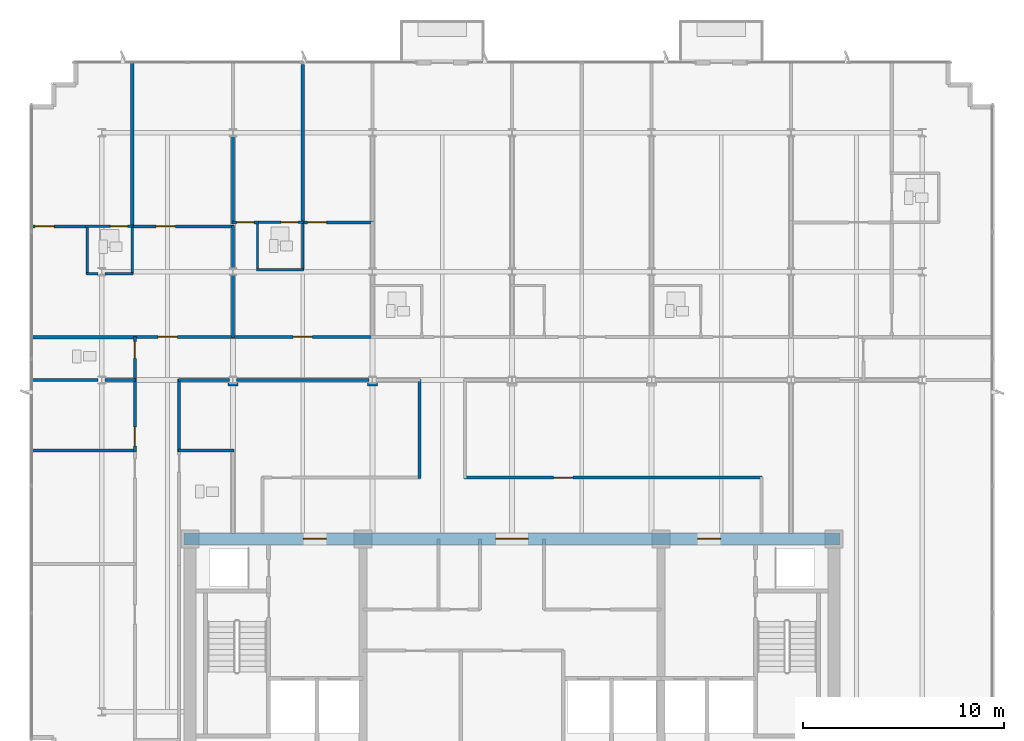
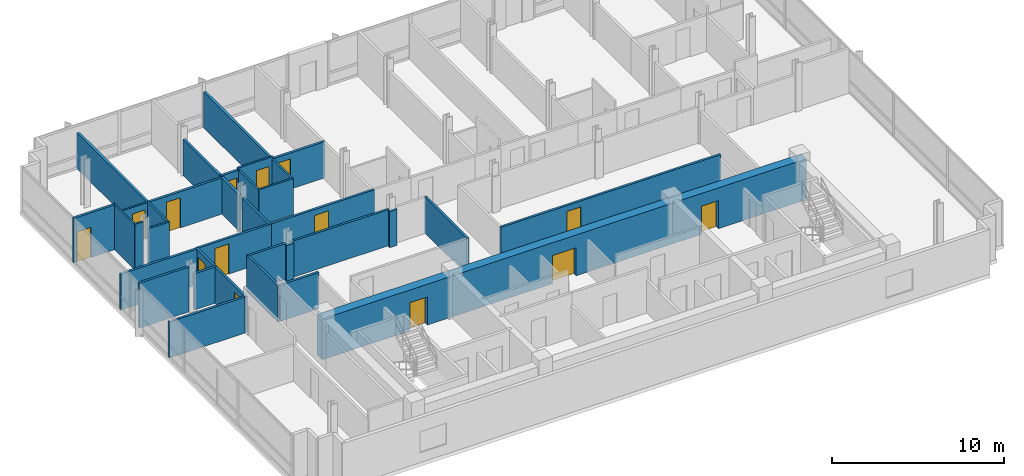
# One storey, part 9 of 14: 35 walls, 14 doors, 14 openings.
"""IFC4 building model written with IfcOpenShell, lengths in metres."""

from ifc_helpers import new_model, si_unit, direction, frame, frame_2d, origin, place, context, subcontext, project, spatial, rectangle, extrude, material, layer, layer_set, type_object, element, fill, save


model = new_model("IFC4")

# Units and contexts
model_context = context("Model", 3, precision=1e-05, world=origin(), true_north=direction((0.0, 1.0)))
body_context = subcontext(model_context, "Body", "Model", "MODEL_VIEW")
ifc_project = project(units=[si_unit("LENGTHUNIT", "METRE"), si_unit("AREAUNIT", "SQUARE_METRE"), si_unit("VOLUMEUNIT", "CUBIC_METRE"), si_unit("PLANEANGLEUNIT", "RADIAN"), si_unit("MASSUNIT", "GRAM", prefix="KILO")], contexts=[model_context])

# Site, building, storey
site_placement = place(None, origin())
site = spatial("IfcSite", under=ifc_project, at=site_placement, CompositionType="ELEMENT")
building_placement = place(site_placement, origin())
building = spatial("IfcBuilding", under=site, at=building_placement, Name="Solmavex Isthmus Hotel", CompositionType="ELEMENT")
storey_placement = place(building_placement, frame((0.0, 0.0, 255.75)))
storey = spatial("IfcBuildingStorey", under=building, at=storey_placement, Name="L69", CompositionType="ELEMENT", Elevation=255.75)

# Wall, opening, door
ifc_material_1 = material(Name="Gypsum plasterboard lining", Category="gypsum")
ifc_layer_1 = layer(ifc_material_1, 0.159912109375)
ifc_layer_set_1 = layer_set([ifc_layer_1], Name="Gypsum plasterboard lining")
wall_type_1 = type_object("IfcWallType", Name="IW-COMP-160", PredefinedType="PARTITIONING", material=ifc_layer_set_1)
wall_1_placement = place(storey_placement, frame((-23.919921875, 13.0380859375, 0.0), z_axis=(0.0, 0.0, 1.0), x_axis=(1.0, 0.0, 0.0)))
wall_1 = element("IfcWall", 1, at=wall_1_placement, inside=storey, type_object=wall_type_1, Name="Interior Partition Wall W-L69-P037", PredefinedType="PARTITIONING", context=body_context, shape_type="SweptSolid", body=[
    extrude(rectangle(XDim=2.833984375, YDim=0.159912109375, at=frame_2d((1.4169921875, 0.0))), origin(), (0.0, 0.0, 1.0), 3.18994140625),
])
opening_1_placement = place(wall_1_placement, frame((0.2099609375, 0.0, 0.0)))
opening_1 = element("IfcOpeningElement", 2, at=opening_1_placement, cuts=wall_1, Name="Opening ID-C095", PredefinedType="OPENING", context=body_context, shape_type="SweptSolid", body=[
    extrude(rectangle(XDim=0.949951171875, YDim=2.14990234375, at=frame_2d((0.47509765625, 1.074951171875))), frame((0.0, 0.08984375, 0.0), z_axis=(0.0, -1.0, 0.0), x_axis=(1.0, 0.0, 0.0)), (0.0, 0.0, 1.0), 0.179931640625),
])
ifc_material_2 = material(Name="Hardwood timber", Category="wood")
door_type_1 = type_object("IfcDoorType", Name="IDR-FD60-0950", OperationType="NOTDEFINED", PredefinedType="DOOR", material=ifc_material_2)
door_1_placement = place(opening_1_placement, origin())
door_1 = element("IfcDoor", 3, at=door_1_placement, inside=storey, type_object=door_type_1, Name="Ambassador Suite Master Bedroom Door L69-02", OperationType="SINGLE_SWING_RIGHT", OverallHeight=2.14990234375, OverallWidth=0.949951171875, PredefinedType="DOOR", context=body_context, shape_type="SweptSolid", body=[
    extrude(rectangle(XDim=0.949951171875, YDim=2.14990234375, at=frame_2d((0.47509765625, 1.074951171875))), frame((0.0, 0.02490234375, 0.0), z_axis=(0.0, -1.0, 0.0), x_axis=(1.0, 0.0, 0.0)), (0.0, 0.0, 1.0), 0.050048828125),
])
fill(opening_1, door_1)

wall_2_placement = place(storey_placement, frame((-18.916015625, 13.0380859375, 0.0), z_axis=(0.0, 0.0, 1.0), x_axis=(1.0, 0.0, 0.0)))
wall_2 = element("IfcWall", 4, at=wall_2_placement, inside=storey, type_object=wall_type_1, Name="Interior Partition Wall W-L69-P038", PredefinedType="PARTITIONING", context=body_context, shape_type="SweptSolid", body=[
    extrude(rectangle(XDim=5.083984375, YDim=0.159912109375, at=frame_2d((2.5419921875, 0.0))), origin(), (0.0, 0.0, 1.0), 2.572265625),
])
opening_2_placement = place(wall_2_placement, frame((1.226318359375, 0.0, 0.0)))
opening_2 = element("IfcOpeningElement", 5, at=opening_2_placement, cuts=wall_2, Name="Opening ID-C095", PredefinedType="OPENING", context=body_context, shape_type="SweptSolid", body=[
    extrude(rectangle(XDim=0.949951171875, YDim=2.14990234375, at=frame_2d((0.47509765625, 1.074951171875))), frame((0.0, 0.08984375, 0.0), z_axis=(0.0, -1.0, 0.0), x_axis=(1.0, 0.0, 0.0)), (0.0, 0.0, 1.0), 0.179931640625),
])
door_2_placement = place(opening_2_placement, origin())
door_2 = element("IfcDoor", 6, at=door_2_placement, inside=storey, type_object=door_type_1, Name="Ambassador Suite Panorama Sitting Study Door L69-03", OperationType="SINGLE_SWING_LEFT", OverallHeight=2.14990234375, OverallWidth=0.949951171875, PredefinedType="DOOR", context=body_context, shape_type="SweptSolid", body=[
    extrude(rectangle(XDim=0.949951171875, YDim=2.14990234375, at=frame_2d((0.47509765625, 1.074951171875))), frame((0.0, 0.02490234375, 0.0), z_axis=(0.0, -1.0, 0.0), x_axis=(1.0, 0.0, 0.0)), (0.0, 0.0, 1.0), 0.050048828125),
])
fill(opening_2, door_2)

# Walls
wall_3_placement = place(storey_placement, frame((-13.8720703125, 10.613037109375, 0.0), z_axis=(0.0, 0.0, 1.0), x_axis=(0.0, -1.0, 0.0)))
element("IfcWall", 7, at=wall_3_placement, inside=storey, type_object=wall_type_1, Name="Interior Partition Wall W-L69-P043", PredefinedType="PARTITIONING", context=body_context, shape_type="SweptSolid", body=[
    extrude(rectangle(XDim=3.10302734375, YDim=0.159912109375, at=frame_2d((1.551513671875, 0.0))), origin(), (0.0, 0.0, 1.0), 2.572265625),
])
wall_4_placement = place(storey_placement, frame((-13.8720703125, 13.077880859375, 0.0), z_axis=(0.0, 0.0, 1.0), x_axis=(0.0, -1.0, 0.0)))
element("IfcWall", 8, at=wall_4_placement, inside=storey, type_object=wall_type_1, Name="Interior Partition Wall W-L69-P044", PredefinedType="PARTITIONING", context=body_context, shape_type="SweptSolid", body=[
    extrude(rectangle(XDim=2.114990234375, YDim=0.159912109375, at=frame_2d((1.0576171875, 0.0))), origin(), (0.0, 0.0, 1.0), 2.572265625),
])
wall_5_placement = place(storey_placement, frame((-18.7099609375, 7.530029296875, 0.0), z_axis=(0.0, 0.0, 1.0), x_axis=(-1.0, 0.0, 0.0)))
element("IfcWall", 9, at=wall_5_placement, inside=storey, type_object=wall_type_1, Name="Interior Partition Wall W-L69-P045", PredefinedType="PARTITIONING", context=body_context, shape_type="SweptSolid", body=[
    extrude(rectangle(XDim=5.2099609375, YDim=0.159912109375, at=frame_2d((2.60498046875, 0.0))), origin(), (0.0, 0.0, 1.0), 2.5576171875),
])
wall_6_placement = place(storey_placement, frame((-18.8759765625, 21.219970703125, 0.0), z_axis=(0.0, 0.0, 1.0), x_axis=(0.0, -1.0, 0.0)))
element("IfcWall", 10, at=wall_6_placement, inside=storey, type_object=wall_type_1, Name="Interior Partition Wall W-L69-P046", PredefinedType="PARTITIONING", context=body_context, shape_type="SweptSolid", body=[
    extrude(rectangle(XDim=8.221923828125, YDim=0.159912109375, at=frame_2d((4.11083984375, 0.0))), origin(), (0.0, 0.0, 1.0), 2.5576171875),
])
wall_7_placement = place(storey_placement, frame((-13.8720703125, 17.52490234375, 0.0), z_axis=(0.0, 0.0, 1.0), x_axis=(0.0, -1.0, 0.0)))
element("IfcWall", 11, at=wall_7_placement, inside=storey, type_object=wall_type_1, Name="Interior Partition Wall W-L69-P048", PredefinedType="PARTITIONING", context=body_context, shape_type="SweptSolid", body=[
    extrude(rectangle(XDim=4.368896484375, YDim=0.159912109375, at=frame_2d((2.1845703125, 0.0))), origin(), (0.0, 0.0, 1.0), 2.572265625),
])

# Wall, opening, door
wall_8_placement = place(storey_placement, frame((-13.912109375, 13.238037109375, 0.0), z_axis=(0.0, 0.0, 1.0), x_axis=(1.0, 0.0, 0.0)))
wall_8 = element("IfcWall", 12, at=wall_8_placement, inside=storey, type_object=wall_type_1, Name="Interior Partition Wall W-L69-P050", PredefinedType="PARTITIONING", context=body_context, shape_type="SweptSolid", body=[
    extrude(rectangle(XDim=1.298095703125, YDim=0.159912109375, at=frame_2d((0.64892578125, 0.0))), origin(), (0.0, 0.0, 1.0), 2.572265625),
])
opening_3_placement = place(wall_8_placement, frame((0.22412109375, 0.0, 0.0)))
opening_3 = element("IfcOpeningElement", 13, at=opening_3_placement, cuts=wall_8, Name="Opening ID-R085", PredefinedType="OPENING", context=body_context, shape_type="SweptSolid", body=[
    extrude(rectangle(XDim=0.85009765625, YDim=2.050048828125, at=frame_2d((0.425048828125, 1.02490234375))), frame((0.0, 0.08984375, 0.0), z_axis=(0.0, -1.0, 0.0), x_axis=(1.0, 0.0, 0.0)), (0.0, 0.0, 1.0), 0.179931640625),
])
ifc_material_3 = material(Name="Steel ASTM A500 Grade C", Category="steel")
door_type_2 = type_object("IfcDoorType", Name="IDR-FD60-0850", OperationType="NOTDEFINED", PredefinedType="DOOR", material=ifc_material_3)
door_3_placement = place(opening_3_placement, origin())
door_3 = element("IfcDoor", 14, at=door_3_placement, inside=storey, type_object=door_type_2, Name="Diplomatic Hospitality Suite Bedroom Door L69-06", OperationType="SINGLE_SWING_RIGHT", OverallHeight=2.050048828125, OverallWidth=0.85009765625, PredefinedType="DOOR", context=body_context, shape_type="SweptSolid", body=[
    extrude(rectangle(XDim=0.85009765625, YDim=2.050048828125, at=frame_2d((0.425048828125, 1.02490234375))), frame((0.0, 0.02490234375, 0.0), z_axis=(0.0, -1.0, 0.0), x_axis=(1.0, 0.0, 0.0)), (0.0, 0.0, 1.0), 0.050048828125),
])
fill(opening_3, door_3)

wall_9_placement = place(storey_placement, frame((-10.444091796875, 13.238037109375, 0.0), z_axis=(0.0, 0.0, 1.0), x_axis=(1.0, 0.0, 0.0)))
wall_9 = element("IfcWall", 15, at=wall_9_placement, inside=storey, type_object=wall_type_1, Name="Interior Partition Wall W-L69-P051", PredefinedType="PARTITIONING", context=body_context, shape_type="SweptSolid", body=[
    extrude(rectangle(XDim=3.548095703125, YDim=0.159912109375, at=frame_2d((1.77392578125, 0.0))), origin(), (0.0, 0.0, 1.0), 2.572265625),
])
opening_4_placement = place(wall_9_placement, frame((0.279296875, 0.0, 0.0)))
opening_4 = element("IfcOpeningElement", 16, at=opening_4_placement, cuts=wall_9, Name="Opening ID-C095", PredefinedType="OPENING", context=body_context, shape_type="SweptSolid", body=[
    extrude(rectangle(XDim=0.949951171875, YDim=2.14990234375, at=frame_2d((0.47509765625, 1.074951171875))), frame((0.0, 0.08984375, 0.0), z_axis=(0.0, -1.0, 0.0), x_axis=(1.0, 0.0, 0.0)), (0.0, 0.0, 1.0), 0.179931640625),
])
door_4_placement = place(opening_4_placement, origin())
door_4 = element("IfcDoor", 17, at=door_4_placement, inside=storey, type_object=door_type_1, Name="Diplomatic Hospitality Suite Sitting Lounge Door L69-07", OperationType="SINGLE_SWING_LEFT", OverallHeight=2.14990234375, OverallWidth=0.949951171875, PredefinedType="DOOR", context=body_context, shape_type="SweptSolid", body=[
    extrude(rectangle(XDim=0.949951171875, YDim=2.14990234375, at=frame_2d((0.47509765625, 1.074951171875))), frame((0.0, 0.02490234375, 0.0), z_axis=(0.0, -1.0, 0.0), x_axis=(1.0, 0.0, 0.0)), (0.0, 0.0, 1.0), 0.050048828125),
])
fill(opening_4, door_4)

# Walls
wall_10_placement = place(storey_placement, frame((-10.404052734375, 21.10009765625, 0.0), z_axis=(0.0, 0.0, 1.0), x_axis=(0.0, -1.0, 0.0)))
element("IfcWall", 18, at=wall_10_placement, inside=storey, type_object=wall_type_1, Name="Interior Partition Wall W-L69-P057", PredefinedType="PARTITIONING", context=body_context, shape_type="SweptSolid", body=[
    extrude(rectangle(XDim=7.902099609375, YDim=0.159912109375, at=frame_2d((3.951171875, 0.0))), origin(), (0.0, 0.0, 1.0), 2.5576171875),
])
wall_11_placement = place(storey_placement, frame((-20.574951171875, 5.39990234375, 0.0), z_axis=(0.0, 0.0, 1.0), x_axis=(-1.0, 0.0, 0.0)))
element("IfcWall", 19, at=wall_11_placement, inside=storey, type_object=wall_type_1, Name="Interior Partition Wall W-L69-P087", PredefinedType="PARTITIONING", context=body_context, shape_type="SweptSolid", body=[
    extrude(rectangle(XDim=3.344970703125, YDim=0.159912109375, at=frame_2d((1.67236328125, 0.0))), origin(), (0.0, 0.0, 1.0), 3.18994140625),
])
wall_12_placement = place(storey_placement, frame((-18.7099609375, 5.39990234375, 0.0), z_axis=(0.0, 0.0, 1.0), x_axis=(-1.0, 0.0, 0.0)))
element("IfcWall", 20, at=wall_12_placement, inside=storey, type_object=wall_type_1, Name="Interior Partition Wall W-L69-P088", PredefinedType="PARTITIONING", context=body_context, shape_type="SweptSolid", body=[
    extrude(rectangle(XDim=1.51513671875, YDim=0.159912109375, at=frame_2d((0.757568359375, 0.0))), origin(), (0.0, 0.0, 1.0), 2.572265625),
])
wall_13_placement = place(storey_placement, frame((-16.590087890625, 1.89990234375, 0.0), z_axis=(0.0, 0.0, 1.0), x_axis=(1.0, 0.0, 0.0)))
element("IfcWall", 21, at=wall_13_placement, inside=storey, type_object=wall_type_1, Name="Interior Partition Wall W-L69-P089", PredefinedType="PARTITIONING", context=body_context, shape_type="SweptSolid", body=[
    extrude(rectangle(XDim=2.758056640625, YDim=0.159912109375, at=frame_2d((1.37890625, 0.0))), origin(), (0.0, 0.0, 1.0), 2.572265625),
])
wall_14_placement = place(storey_placement, frame((-18.7099609375, 1.89990234375, 0.0), z_axis=(0.0, 0.0, 1.0), x_axis=(-1.0, 0.0, 0.0)))
element("IfcWall", 22, at=wall_14_placement, inside=storey, type_object=wall_type_1, Name="Interior Partition Wall W-L69-P093", PredefinedType="PARTITIONING", context=body_context, shape_type="SweptSolid", body=[
    extrude(rectangle(XDim=5.2099609375, YDim=0.159912109375, at=frame_2d((2.60498046875, 0.0))), origin(), (0.0, 0.0, 1.0), 2.5576171875),
])

# Wall, opening, door
ifc_layer_2 = layer(ifc_material_1, 0.14990234375)
ifc_layer_set_2 = layer_set([ifc_layer_2], Name="Gypsum plasterboard lining")
wall_type_2 = type_object("IfcWallType", Name="IW-CORR-150", PredefinedType="PARTITIONING", material=ifc_layer_set_2)
wall_15_placement = place(storey_placement, frame((-18.7900390625, 7.550048828125, 0.0), z_axis=(0.0, 0.0, 1.0), x_axis=(1.0, 0.0, 0.0)))
wall_15 = element("IfcWall", 23, at=wall_15_placement, inside=storey, type_object=wall_type_2, Name="Interior Partition Wall W-L69-P001", PredefinedType="PARTITIONING", context=body_context, shape_type="SweptSolid", body=[
    extrude(rectangle(XDim=5.0, YDim=0.14990234375, at=frame_2d((2.5, 0.0))), origin(), (0.0, 0.0, 1.0), 2.572265625),
])
opening_5_placement = place(wall_15_placement, frame((1.198486328125, 0.0, 0.0)))
opening_5 = element("IfcOpeningElement", 24, at=opening_5_placement, cuts=wall_15, Name="Opening ID-C095", PredefinedType="OPENING", context=body_context, shape_type="SweptSolid", body=[
    extrude(rectangle(XDim=0.949951171875, YDim=2.14990234375, at=frame_2d((0.47509765625, 1.074951171875))), frame((0.0, 0.0849609375, 0.0), z_axis=(0.0, -1.0, 0.0), x_axis=(1.0, 0.0, 0.0)), (0.0, 0.0, 1.0), 0.169921875),
])
door_5_placement = place(opening_5_placement, origin())
door_5 = element("IfcDoor", 25, at=door_5_placement, inside=storey, type_object=door_type_1, Name="Ambassador Suite Living Salon Door L69-01", OperationType="SINGLE_SWING_LEFT", OverallHeight=2.14990234375, OverallWidth=0.949951171875, PredefinedType="DOOR", context=body_context, shape_type="SweptSolid", body=[
    extrude(rectangle(XDim=0.949951171875, YDim=2.14990234375, at=frame_2d((0.47509765625, 1.074951171875))), frame((0.0, 0.02490234375, 0.0), z_axis=(0.0, -1.0, 0.0), x_axis=(1.0, 0.0, 0.0)), (0.0, 0.0, 1.0), 0.050048828125),
])
fill(opening_5, door_5)

wall_16_placement = place(storey_placement, frame((-13.9541015625, 7.550048828125, 0.0), z_axis=(0.0, 0.0, 1.0), x_axis=(1.0, 0.0, 0.0)))
wall_16 = element("IfcWall", 26, at=wall_16_placement, inside=storey, type_object=wall_type_2, Name="Interior Partition Wall W-L69-P002", PredefinedType="PARTITIONING", context=body_context, shape_type="SweptSolid", body=[
    extrude(rectangle(XDim=7.10009765625, YDim=0.14990234375, at=frame_2d((3.550048828125, 0.0))), origin(), (0.0, 0.0, 1.0), 2.572265625),
])
opening_6_placement = place(wall_16_placement, frame((3.074951171875, 0.0, 0.0)))
opening_6 = element("IfcOpeningElement", 27, at=opening_6_placement, cuts=wall_16, Name="Opening ID-C095", PredefinedType="OPENING", context=body_context, shape_type="SweptSolid", body=[
    extrude(rectangle(XDim=0.949951171875, YDim=2.14990234375, at=frame_2d((0.47509765625, 1.074951171875))), frame((0.0, 0.0849609375, 0.0), z_axis=(0.0, -1.0, 0.0), x_axis=(1.0, 0.0, 0.0)), (0.0, 0.0, 1.0), 0.169921875),
])
door_6_placement = place(opening_6_placement, origin())
door_6 = element("IfcDoor", 28, at=door_6_placement, inside=storey, type_object=door_type_1, Name="Diplomatic Hospitality Suite Reception Foyer Door L69-05", OperationType="SINGLE_SWING_LEFT", OverallHeight=2.14990234375, OverallWidth=0.949951171875, PredefinedType="DOOR", context=body_context, shape_type="SweptSolid", body=[
    extrude(rectangle(XDim=0.949951171875, YDim=2.14990234375, at=frame_2d((0.47509765625, 1.074951171875))), frame((0.0, 0.02490234375, 0.0), z_axis=(0.0, -1.0, 0.0), x_axis=(1.0, 0.0, 0.0)), (0.0, 0.0, 1.0), 0.050048828125),
])
fill(opening_6, door_6)

wall_17_placement = place(storey_placement, frame((-18.75, 5.318115234375, 0.0), z_axis=(0.0, 0.0, 1.0), x_axis=(0.0, 1.0, 0.0)))
wall_17 = element("IfcWall", 29, at=wall_17_placement, inside=storey, type_object=wall_type_2, Name="Interior Partition Wall W-L69-P011", PredefinedType="PARTITIONING", context=body_context, shape_type="SweptSolid", body=[
    extrude(rectangle(XDim=2.251953125, YDim=0.14990234375, at=frame_2d((1.1259765625, 0.0))), origin(), (0.0, 0.0, 1.0), 2.572265625),
])
opening_7_placement = place(wall_17_placement, frame((1.156982421875, 0.0, 0.0)))
opening_7 = element("IfcOpeningElement", 30, at=opening_7_placement, cuts=wall_17, Name="Opening ID-R085", PredefinedType="OPENING", context=body_context, shape_type="SweptSolid", body=[
    extrude(rectangle(XDim=0.85009765625, YDim=2.050048828125, at=frame_2d((0.425048828125, 1.02490234375))), frame((0.0, 0.0849609375, 0.0), z_axis=(0.0, -1.0, 0.0), x_axis=(1.0, 0.0, 0.0)), (0.0, 0.0, 1.0), 0.169921875),
])
door_7_placement = place(opening_7_placement, frame((0.85009765625, 0.0, 0.0), z_axis=(0.0, 0.0, 1.0), x_axis=(-1.0, 0.0, 0.0)))
door_7 = element("IfcDoor", 31, at=door_7_placement, inside=storey, type_object=door_type_2, Name="Accessible Public Restroom WC Door L69-20", OperationType="SINGLE_SWING_RIGHT", OverallHeight=2.050048828125, OverallWidth=0.85009765625, PredefinedType="DOOR", context=body_context, shape_type="SweptSolid", body=[
    extrude(rectangle(XDim=0.85009765625, YDim=2.050048828125, at=frame_2d((0.425048828125, 1.02490234375))), frame((0.0, 0.02490234375, 0.0), z_axis=(0.0, -1.0, 0.0), x_axis=(1.0, 0.0, 0.0)), (0.0, 0.0, 1.0), 0.050048828125),
])
fill(opening_7, door_7)

wall_18_placement = place(storey_placement, frame((-18.75, 1.818115234375, 0.0), z_axis=(0.0, 0.0, 1.0), x_axis=(0.0, 1.0, 0.0)))
wall_18 = element("IfcWall", 32, at=wall_18_placement, inside=storey, type_object=wall_type_2, Name="Interior Partition Wall W-L69-P014", PredefinedType="PARTITIONING", context=body_context, shape_type="SweptSolid", body=[
    extrude(rectangle(XDim=3.663818359375, YDim=0.14990234375, at=frame_2d((1.83203125, 0.0))), origin(), (0.0, 0.0, 1.0), 2.572265625),
])
opening_8_placement = place(wall_18_placement, frame((0.30322265625, 0.0, 0.0)))
opening_8 = element("IfcOpeningElement", 33, at=opening_8_placement, cuts=wall_18, Name="Opening ID-C095", PredefinedType="OPENING", context=body_context, shape_type="SweptSolid", body=[
    extrude(rectangle(XDim=0.949951171875, YDim=2.14990234375, at=frame_2d((0.47509765625, 1.074951171875))), frame((0.0, 0.0849609375, 0.0), z_axis=(0.0, -1.0, 0.0), x_axis=(1.0, 0.0, 0.0)), (0.0, 0.0, 1.0), 0.169921875),
])
door_8_placement = place(opening_8_placement, frame((0.949951171875, 0.0, 0.0), z_axis=(0.0, 0.0, 1.0), x_axis=(-1.0, 0.0, 0.0)))
door_8 = element("IfcDoor", 34, at=door_8_placement, inside=storey, type_object=door_type_1, Name="Reading Library Door L69-23", OperationType="SINGLE_SWING_LEFT", OverallHeight=2.14990234375, OverallWidth=0.949951171875, PredefinedType="DOOR", context=body_context, shape_type="SweptSolid", body=[
    extrude(rectangle(XDim=0.949951171875, YDim=2.14990234375, at=frame_2d((0.47509765625, 1.074951171875))), frame((0.0, 0.02490234375, 0.0), z_axis=(0.0, -1.0, 0.0), x_axis=(1.0, 0.0, 0.0)), (0.0, 0.0, 1.0), 0.050048828125),
])
fill(opening_8, door_8)

# Walls
wall_19_placement = place(storey_placement, frame((-4.587890625, 0.510009765625, 0.0), z_axis=(0.0, 0.0, 1.0), x_axis=(0.0, 1.0, 0.0)))
element("IfcWall", 35, at=wall_19_placement, inside=storey, type_object=wall_type_2, Name="Interior Partition Wall W-L69-P018", PredefinedType="PARTITIONING", context=body_context, shape_type="SweptSolid", body=[
    extrude(rectangle(XDim=4.929931640625, YDim=0.14990234375, at=frame_2d((2.46484375, 0.0))), origin(), (0.0, 0.0, 1.0), 2.572265625),
])
wall_20_placement = place(storey_placement, frame((-6.680908203125, 5.18505859375, 0.0), z_axis=(0.0, 0.0, 1.0), x_axis=(-1.0, 0.0, 0.0)))
element("IfcWall", 36, at=wall_20_placement, inside=storey, type_object=wall_type_2, Name="Interior Partition Wall W-L69-P020", PredefinedType="PARTITIONING", context=body_context, shape_type="SweptSolid", body=[
    extrude(rectangle(XDim=0.510009765625, YDim=0.14990234375, at=frame_2d((0.2548828125, 0.0))), origin(), (0.0, 0.0, 1.0), 2.572265625),
])
wall_21_placement = place(storey_placement, frame((-7.111083984375, 5.39990234375, 0.0), z_axis=(0.0, 0.0, 1.0), x_axis=(-1.0, 0.0, 0.0)))
element("IfcWall", 37, at=wall_21_placement, inside=storey, type_object=wall_type_2, Name="Interior Partition Wall W-L69-P021", PredefinedType="PARTITIONING", context=body_context, shape_type="SweptSolid", body=[
    extrude(rectangle(XDim=6.5859375, YDim=0.14990234375, at=frame_2d((3.29296875, 0.0))), origin(), (0.0, 0.0, 1.0), 2.572265625),
])
wall_22_placement = place(storey_placement, frame((-13.616943359375, 5.18505859375, 0.0), z_axis=(0.0, 0.0, 1.0), x_axis=(-1.0, 0.0, 0.0)))
element("IfcWall", 38, at=wall_22_placement, inside=storey, type_object=wall_type_2, Name="Interior Partition Wall W-L69-P022", PredefinedType="PARTITIONING", context=body_context, shape_type="SweptSolid", body=[
    extrude(rectangle(XDim=0.510009765625, YDim=0.14990234375, at=frame_2d((0.2548828125, 0.0))), origin(), (0.0, 0.0, 1.0), 2.572265625),
])
wall_23_placement = place(storey_placement, frame((-14.047119140625, 5.39990234375, 0.0), z_axis=(0.0, 0.0, 1.0), x_axis=(-1.0, 0.0, 0.0)))
element("IfcWall", 39, at=wall_23_placement, inside=storey, type_object=wall_type_2, Name="Interior Partition Wall W-L69-P023", PredefinedType="PARTITIONING", context=body_context, shape_type="SweptSolid", body=[
    extrude(rectangle(XDim=2.54296875, YDim=0.14990234375, at=frame_2d((1.271484375, 0.0))), origin(), (0.0, 0.0, 1.0), 2.572265625),
])
wall_24_placement = place(storey_placement, frame((-16.550048828125, 5.43994140625, 0.0), z_axis=(0.0, 0.0, 1.0), x_axis=(0.0, -1.0, 0.0)))
element("IfcWall", 40, at=wall_24_placement, inside=storey, type_object=wall_type_2, Name="Interior Partition Wall W-L69-P024", PredefinedType="PARTITIONING", context=body_context, shape_type="SweptSolid", body=[
    extrude(rectangle(XDim=3.621826171875, YDim=0.14990234375, at=frame_2d((1.81103515625, 0.0))), origin(), (0.0, 0.0, 1.0), 2.572265625),
])

# Wall, opening, door
wall_25_placement = place(storey_placement, frame((-2.387939453125, 0.550048828125, 0.0), z_axis=(0.0, 0.0, 1.0), x_axis=(1.0, 0.0, 0.0)))
wall_25 = element("IfcWall", 41, at=wall_25_placement, inside=storey, type_object=wall_type_2, Name="Interior Partition Wall W-L69-P031", PredefinedType="PARTITIONING", context=body_context, shape_type="SweptSolid", body=[
    extrude(rectangle(XDim=14.827880859375, YDim=0.14990234375, at=frame_2d((7.4140625, 0.0))), origin(), (0.0, 0.0, 1.0), 2.572265625),
])
opening_9_placement = place(wall_25_placement, frame((4.461181640625, 0.0, 0.0)))
opening_9 = element("IfcOpeningElement", 42, at=opening_9_placement, cuts=wall_25, Name="Opening ID-C095", PredefinedType="OPENING", context=body_context, shape_type="SweptSolid", body=[
    extrude(rectangle(XDim=0.949951171875, YDim=2.14990234375, at=frame_2d((0.47509765625, 1.074951171875))), frame((0.0, 0.0849609375, 0.0), z_axis=(0.0, -1.0, 0.0), x_axis=(1.0, 0.0, 0.0)), (0.0, 0.0, 1.0), 0.169921875),
])
door_9_placement = place(opening_9_placement, frame((0.949951171875, 0.0, 0.0), z_axis=(0.0, 0.0, 1.0), x_axis=(-1.0, 0.0, 0.0)))
door_9 = element("IfcDoor", 43, at=door_9_placement, inside=storey, type_object=door_type_1, Name="Catering Servery Kitchen Door L69-26", OperationType="SINGLE_SWING_RIGHT", OverallHeight=2.14990234375, OverallWidth=0.949951171875, PredefinedType="DOOR", context=body_context, shape_type="SweptSolid", body=[
    extrude(rectangle(XDim=0.949951171875, YDim=2.14990234375, at=frame_2d((0.47509765625, 1.074951171875))), frame((0.0, 0.02490234375, 0.0), z_axis=(0.0, -1.0, 0.0), x_axis=(1.0, 0.0, 0.0)), (0.0, 0.0, 1.0), 0.050048828125),
])
fill(opening_9, door_9)

# Walls
ifc_layer_3 = layer(ifc_material_1, 0.1201171875)
ifc_layer_set_3 = layer_set([ifc_layer_3], Name="Gypsum plasterboard lining")
wall_type_3 = type_object("IfcWallType", Name="IW-PART-120", PredefinedType="PARTITIONING", material=ifc_layer_set_3)
wall_26_placement = place(storey_placement, frame((-21.1259765625, 13.077880859375, 0.0), z_axis=(0.0, 0.0, 1.0), x_axis=(0.0, -1.0, 0.0)))
element("IfcWall", 44, at=wall_26_placement, inside=storey, type_object=wall_type_3, Name="Interior Partition Wall W-L69-P039", PredefinedType="PARTITIONING", context=body_context, shape_type="SweptSolid", body=[
    extrude(rectangle(XDim=2.429931640625, YDim=0.1201171875, at=frame_2d((1.21484375, 0.0))), origin(), (0.0, 0.0, 1.0), 3.18994140625),
])
wall_27_placement = place(storey_placement, frame((-21.166015625, 10.68798828125, 0.0), z_axis=(0.0, 0.0, 1.0), x_axis=(1.0, 0.0, 0.0)))
element("IfcWall", 45, at=wall_27_placement, inside=storey, type_object=wall_type_3, Name="Interior Partition Wall W-L69-P040", PredefinedType="PARTITIONING", context=body_context, shape_type="SweptSolid", body=[
    extrude(rectangle(XDim=0.591064453125, YDim=0.1201171875, at=frame_2d((0.29541015625, 0.0))), origin(), (0.0, 0.0, 1.0), 3.18994140625),
])
wall_28_placement = place(storey_placement, frame((-20.22509765625, 10.68798828125, 0.0), z_axis=(0.0, 0.0, 1.0), x_axis=(1.0, 0.0, 0.0)))
element("IfcWall", 46, at=wall_28_placement, inside=storey, type_object=wall_type_3, Name="Interior Partition Wall W-L69-P041", PredefinedType="PARTITIONING", context=body_context, shape_type="SweptSolid", body=[
    extrude(rectangle(XDim=1.38916015625, YDim=0.1201171875, at=frame_2d((0.694580078125, 0.0))), origin(), (0.0, 0.0, 1.0), 2.572265625),
])
wall_29_placement = place(storey_placement, frame((-18.8759765625, 10.64794921875, 0.0), z_axis=(0.0, 0.0, 1.0), x_axis=(0.0, 1.0, 0.0)))
element("IfcWall", 47, at=wall_29_placement, inside=storey, type_object=wall_type_3, Name="Interior Partition Wall W-L69-P042", PredefinedType="PARTITIONING", context=body_context, shape_type="SweptSolid", body=[
    extrude(rectangle(XDim=2.429931640625, YDim=0.1201171875, at=frame_2d((1.21484375, 0.0))), origin(), (0.0, 0.0, 1.0), 2.572265625),
])

# Wall, opening, door
wall_30_placement = place(storey_placement, frame((-18.8359375, 13.0380859375, 0.0), z_axis=(0.0, 0.0, 1.0), x_axis=(-1.0, 0.0, 0.0)))
wall_30 = element("IfcWall", 48, at=wall_30_placement, inside=storey, type_object=wall_type_3, Name="Interior Partition Wall W-L69-P047", PredefinedType="PARTITIONING", context=body_context, shape_type="SweptSolid", body=[
    extrude(rectangle(XDim=2.3720703125, YDim=0.1201171875, at=frame_2d((1.18603515625, 0.0))), origin(), (0.0, 0.0, 1.0), 2.5576171875),
])
opening_10_placement = place(wall_30_placement, frame((0.27978515625, 0.0, 0.0)))
opening_10 = element("IfcOpeningElement", 49, at=opening_10_placement, cuts=wall_30, Name="Opening ID-U085", PredefinedType="OPENING", context=body_context, shape_type="SweptSolid", body=[
    extrude(rectangle(XDim=0.85009765625, YDim=2.10009765625, at=frame_2d((0.425048828125, 1.050048828125))), frame((0.0, 0.070068359375, 0.0), z_axis=(0.0, -1.0, 0.0), x_axis=(1.0, 0.0, 0.0)), (0.0, 0.0, 1.0), 0.14013671875),
])
door_type_3 = type_object("IfcDoorType", Name="IDR-UNR-0850", OperationType="NOTDEFINED", PredefinedType="DOOR", material=ifc_material_2)
door_10_placement = place(opening_10_placement, frame((0.85009765625, 0.0, 0.0), z_axis=(0.0, 0.0, 1.0), x_axis=(-1.0, 0.0, 0.0)))
door_10 = element("IfcDoor", 50, at=door_10_placement, inside=storey, type_object=door_type_3, Name="En-suite Bathroom Door L69-04", OperationType="SINGLE_SWING_RIGHT", OverallHeight=2.10009765625, OverallWidth=0.85009765625, PredefinedType="DOOR", context=body_context, shape_type="SweptSolid", body=[
    extrude(rectangle(XDim=0.85009765625, YDim=2.10009765625, at=frame_2d((0.425048828125, 1.050048828125))), frame((0.0, 0.02490234375, 0.0), z_axis=(0.0, -1.0, 0.0), x_axis=(1.0, 0.0, 0.0)), (0.0, 0.0, 1.0), 0.050048828125),
])
fill(opening_10, door_10)

# Walls
wall_31_placement = place(storey_placement, frame((-12.654052734375, 13.278076171875, 0.0), z_axis=(0.0, 0.0, 1.0), x_axis=(0.0, -1.0, 0.0)))
element("IfcWall", 51, at=wall_31_placement, inside=storey, type_object=wall_type_3, Name="Interior Partition Wall W-L69-P052", PredefinedType="PARTITIONING", context=body_context, shape_type="SweptSolid", body=[
    extrude(rectangle(XDim=2.43017578125, YDim=0.1201171875, at=frame_2d((1.215087890625, 0.0))), origin(), (0.0, 0.0, 1.0), 2.572265625),
])
wall_32_placement = place(storey_placement, frame((-12.694091796875, 10.887939453125, 0.0), z_axis=(0.0, 0.0, 1.0), x_axis=(1.0, 0.0, 0.0)))
element("IfcWall", 52, at=wall_32_placement, inside=storey, type_object=wall_type_3, Name="Interior Partition Wall W-L69-P053", PredefinedType="PARTITIONING", context=body_context, shape_type="SweptSolid", body=[
    extrude(rectangle(XDim=2.330078125, YDim=0.1201171875, at=frame_2d((1.1650390625, 0.0))), origin(), (0.0, 0.0, 1.0), 2.572265625),
])
wall_33_placement = place(storey_placement, frame((-10.404052734375, 10.847900390625, 0.0), z_axis=(0.0, 0.0, 1.0), x_axis=(0.0, 1.0, 0.0)))
element("IfcWall", 53, at=wall_33_placement, inside=storey, type_object=wall_type_3, Name="Interior Partition Wall W-L69-P054", PredefinedType="PARTITIONING", context=body_context, shape_type="SweptSolid", body=[
    extrude(rectangle(XDim=2.43017578125, YDim=0.1201171875, at=frame_2d((1.215087890625, 0.0))), origin(), (0.0, 0.0, 1.0), 2.572265625),
])

# Wall, opening, door
wall_34_placement = place(storey_placement, frame((-10.364013671875, 13.238037109375, 0.0), z_axis=(0.0, 0.0, 1.0), x_axis=(-1.0, 0.0, 0.0)))
wall_34 = element("IfcWall", 54, at=wall_34_placement, inside=storey, type_object=wall_type_3, Name="Interior Partition Wall W-L69-P058", PredefinedType="PARTITIONING", context=body_context, shape_type="SweptSolid", body=[
    extrude(rectangle(XDim=2.3720703125, YDim=0.1201171875, at=frame_2d((1.18603515625, 0.0))), origin(), (0.0, 0.0, 1.0), 2.718017578125),
])
opening_11_placement = place(wall_34_placement, frame((0.27978515625, 0.0, 0.0)))
opening_11 = element("IfcOpeningElement", 55, at=opening_11_placement, cuts=wall_34, Name="Opening ID-U085", PredefinedType="OPENING", context=body_context, shape_type="SweptSolid", body=[
    extrude(rectangle(XDim=0.85009765625, YDim=2.10009765625, at=frame_2d((0.425048828125, 1.050048828125))), frame((0.0, 0.070068359375, 0.0), z_axis=(0.0, -1.0, 0.0), x_axis=(1.0, 0.0, 0.0)), (0.0, 0.0, 1.0), 0.14013671875),
])
door_11_placement = place(opening_11_placement, frame((0.85009765625, 0.0, 0.0), z_axis=(0.0, 0.0, 1.0), x_axis=(-1.0, 0.0, 0.0)))
door_11 = element("IfcDoor", 56, at=door_11_placement, inside=storey, type_object=door_type_3, Name="En-suite Bathroom Door L69-08", OperationType="SINGLE_SWING_RIGHT", OverallHeight=2.10009765625, OverallWidth=0.85009765625, PredefinedType="DOOR", context=body_context, shape_type="SweptSolid", body=[
    extrude(rectangle(XDim=0.85009765625, YDim=2.10009765625, at=frame_2d((0.425048828125, 1.050048828125))), frame((0.0, 0.02490234375, 0.0), z_axis=(0.0, -1.0, 0.0), x_axis=(1.0, 0.0, 0.0)), (0.0, 0.0, 1.0), 0.050048828125),
])
fill(opening_11, door_11)

# Wall, openings, doors
ifc_material_4 = material(Name="Concrete C50/60", Category="concrete")
ifc_layer_4 = layer(ifc_material_4, 0.60009765625)
ifc_layer_set_4 = layer_set([ifc_layer_4], Name="Concrete C50/60")
wall_type_4 = type_object("IfcWallType", Name="WALL-CW-600", PredefinedType="SHEAR", material=ifc_layer_set_4)
wall_35_placement = place(storey_placement, frame((-16.300048828125, -2.5, 0.0), z_axis=(0.0, 0.0, 1.0), x_axis=(1.0, 0.0, 0.0)))
wall_35 = element("IfcWall", 57, at=wall_35_placement, inside=storey, type_object=wall_type_4, Name="Core Shear Wall North L69", PredefinedType="SHEAR", context=body_context, shape_type="SweptSolid", body=[
    extrude(rectangle(XDim=32.60009765625, YDim=0.60009765625, at=frame_2d((16.300048828125, 0.0))), origin(), (0.0, 0.0, 1.0), 2.909912109375),
])
opening_12_placement = place(wall_35_placement, frame((5.925048828125, 0.0, 0.0)))
opening_12 = element("IfcOpeningElement", 58, at=opening_12_placement, cuts=wall_35, Name="Opening ID-F915", PredefinedType="OPENING", context=body_context, shape_type="SweptSolid", body=[
    extrude(rectangle(XDim=1.14990234375, YDim=2.0, at=frame_2d((0.574951171875, 1.0))), frame((0.0, 0.31005859375, 0.0), z_axis=(0.0, -1.0, 0.0), x_axis=(1.0, 0.0, 0.0)), (0.0, 0.0, 1.0), 0.6201171875),
])
opening_13_placement = place(wall_35_placement, frame((15.5, 0.0, 0.0)))
opening_13 = element("IfcOpeningElement", 59, at=opening_13_placement, cuts=wall_35, Name="Opening ID-F960", PredefinedType="OPENING", context=body_context, shape_type="SweptSolid", body=[
    extrude(rectangle(XDim=1.60009765625, YDim=2.0, at=frame_2d((0.800048828125, 1.0))), frame((0.0, 0.31005859375, 0.0), z_axis=(0.0, -1.0, 0.0), x_axis=(1.0, 0.0, 0.0)), (0.0, 0.0, 1.0), 0.6201171875),
])
opening_14_placement = place(wall_35_placement, frame((25.52490234375, 0.0, 0.0)))
opening_14 = element("IfcOpeningElement", 60, at=opening_14_placement, cuts=wall_35, Name="Opening ID-F915", PredefinedType="OPENING", context=body_context, shape_type="SweptSolid", body=[
    extrude(rectangle(XDim=1.14990234375, YDim=2.0, at=frame_2d((0.574951171875, 1.0))), frame((0.0, 0.31005859375, 0.0), z_axis=(0.0, -1.0, 0.0), x_axis=(1.0, 0.0, 0.0)), (0.0, 0.0, 1.0), 0.6201171875),
])
door_type_4 = type_object("IfcDoorType", Name="IDR-FD90-1150C", OperationType="NOTDEFINED", PredefinedType="DOOR", material=ifc_material_3)
door_12_placement = place(opening_12_placement, origin())
door_12 = element("IfcDoor", 61, at=door_12_placement, inside=storey, type_object=door_type_4, Name="Firefighting Lobby West Exit Door L69", OperationType="SINGLE_SWING_LEFT", OverallHeight=2.0, OverallWidth=1.14990234375, PredefinedType="DOOR", context=body_context, shape_type="SweptSolid", body=[
    extrude(rectangle(XDim=1.14990234375, YDim=2.0, at=frame_2d((0.574951171875, 1.0))), frame((0.0, 0.02490234375, 0.0), z_axis=(0.0, -1.0, 0.0), x_axis=(1.0, 0.0, 0.0)), (0.0, 0.0, 1.0), 0.050048828125),
])
fill(opening_12, door_12)
door_13_placement = place(opening_14_placement, origin())
door_13 = element("IfcDoor", 62, at=door_13_placement, inside=storey, type_object=door_type_4, Name="Firefighting Lobby East Exit Door L69", OperationType="SINGLE_SWING_RIGHT", OverallHeight=2.0, OverallWidth=1.14990234375, PredefinedType="DOOR", context=body_context, shape_type="SweptSolid", body=[
    extrude(rectangle(XDim=1.14990234375, YDim=2.0, at=frame_2d((0.574951171875, 1.0))), frame((0.0, 0.02490234375, 0.0), z_axis=(0.0, -1.0, 0.0), x_axis=(1.0, 0.0, 0.0)), (0.0, 0.0, 1.0), 0.050048828125),
])
fill(opening_14, door_13)
door_type_5 = type_object("IfcDoorType", Name="IDR-FD90-1600C", OperationType="NOTDEFINED", PredefinedType="DOOR", material=ifc_material_3)
door_14_placement = place(opening_13_placement, origin())
door_14 = element("IfcDoor", 63, at=door_14_placement, inside=storey, type_object=door_type_5, Name="Central Lift Lobby Door L69", OperationType="DOUBLE_DOOR_SINGLE_SWING", OverallHeight=2.0, OverallWidth=1.60009765625, PredefinedType="DOOR", context=body_context, shape_type="SweptSolid", body=[
    extrude(rectangle(XDim=1.60009765625, YDim=2.0, at=frame_2d((0.800048828125, 1.0))), frame((0.0, 0.02490234375, 0.0), z_axis=(0.0, -1.0, 0.0), x_axis=(1.0, 0.0, 0.0)), (0.0, 0.0, 1.0), 0.050048828125),
])
fill(opening_13, door_14)

save(model, "model.ifc")
